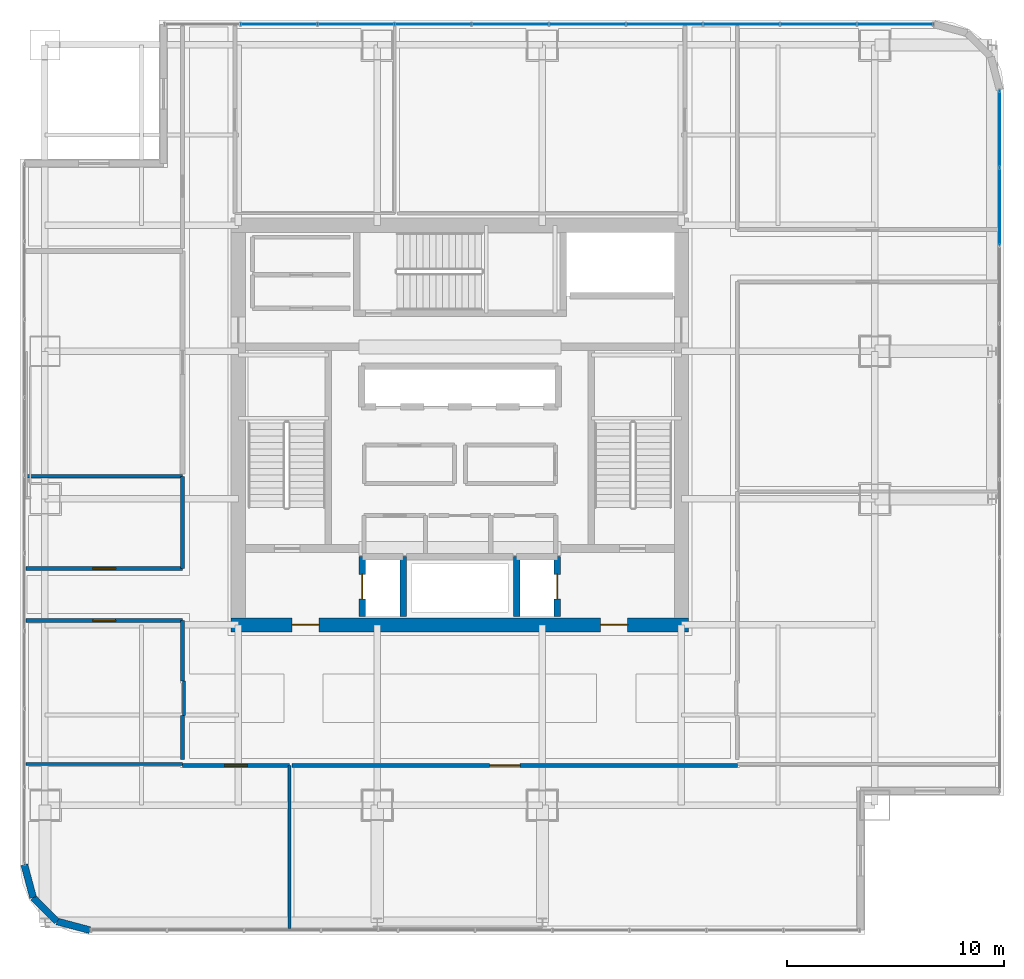
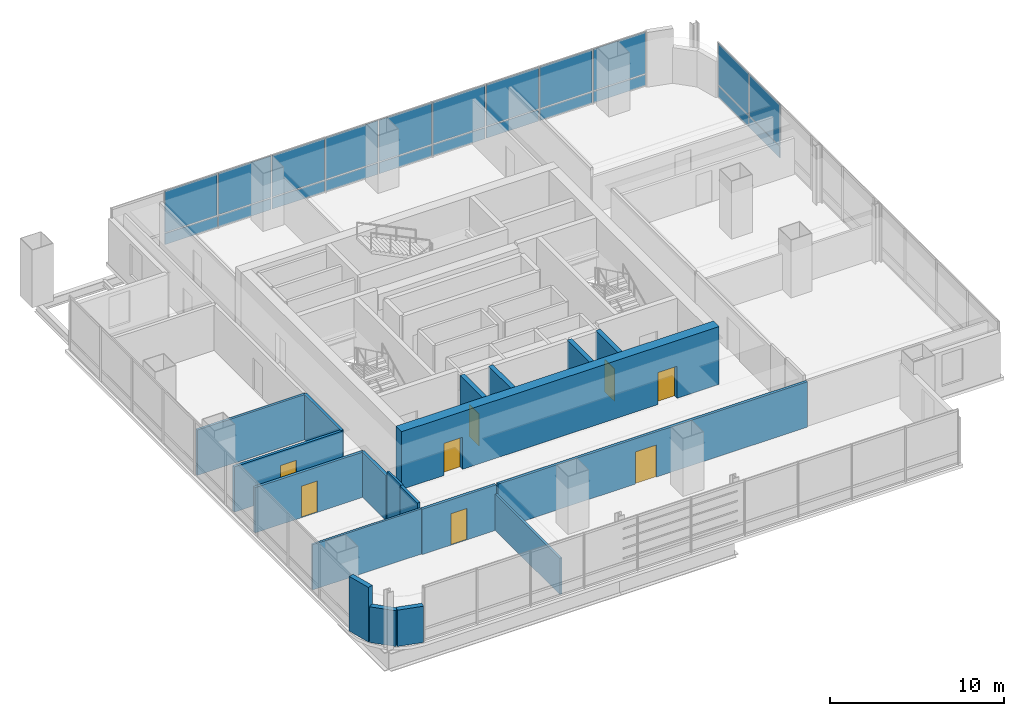
# One storey, part 29 of 37: 22 plates, 19 walls, 8 doors, 8 openings, 2 elements without a shape of their own.
"""IFC4 building model written with IfcOpenShell, lengths in metres."""

from ifc_helpers import new_model, si_unit, direction, frame, frame_2d, origin, origin_2d, place, context, subcontext, project, spatial, rectangle, extrude, material, layer, layer_set, type_object, element, fill, aggregate, save


model = new_model("IFC4")

# Units and contexts
model_context = context("Model", 3, precision=1e-05, world=origin(), true_north=direction((0.0, 1.0)))
body_context = subcontext(model_context, "Body", "Model", "MODEL_VIEW")
ifc_project = project(units=[si_unit("LENGTHUNIT", "METRE"), si_unit("AREAUNIT", "SQUARE_METRE"), si_unit("VOLUMEUNIT", "CUBIC_METRE"), si_unit("PLANEANGLEUNIT", "RADIAN"), si_unit("MASSUNIT", "GRAM", prefix="KILO")], contexts=[model_context])

# Site, building, storey
site_placement = place(None, origin())
site = spatial("IfcSite", under=ifc_project, at=site_placement, CompositionType="ELEMENT")
building_placement = place(site_placement, origin())
building = spatial("IfcBuilding", under=site, at=building_placement, Name="Punatoya Terracotta Tower", CompositionType="ELEMENT")
storey_placement = place(building_placement, frame((0.0, 0.0, 224.85009765625)))
storey = spatial("IfcBuildingStorey", under=building, at=storey_placement, Name="L53", CompositionType="ELEMENT", Elevation=224.85009765625)

# Curtain wall, plates
ifc_material_1 = material(Name="Aluminium 6063-T6 + Double Low-E Glass", Category="aluminium")
curtain_wall_type = type_object("IfcCurtainWallType", Name="CW-M2", PredefinedType="NOTDEFINED", material=ifc_material_1)
curtain_wall_1_placement = place(storey_placement, origin())
curtain_wall_1 = element("IfcCurtainWall", 1, at=curtain_wall_1_placement, inside=storey, type_object=curtain_wall_type, Name="L53 Curtain Wall CW-L53-E04-1", PredefinedType="NOTDEFINED")
ifc_material_2 = material(Name="Double Low-E Acoustic Vision Glass", Category="glass")
ifc_layer_1 = layer(ifc_material_2, 0.031982421875)
ifc_layer_set_1 = layer_set([ifc_layer_1], Name="Double Low-E Acoustic Vision Glass")
plate_type_1 = type_object("IfcPlateType", Name="PLT-GLZ-32", PredefinedType="CURTAIN_PANEL", material=ifc_layer_set_1)
plate_1_placement = place(storey_placement, frame((24.85009765625, 10.0556640625, 0.889892578125), z_axis=(0.0, 0.0, 1.0), x_axis=(0.0, 1.0, 0.0)))
plate_1 = element("IfcPlate", 2, at=plate_1_placement, type_object=plate_type_1, Name="CW-L53-E04-1 Vision Glass Panel 8", PredefinedType="CURTAIN_PANEL", context=body_context, shape_type="SweptSolid", body=[
    extrude(rectangle(XDim=3.50244140625, YDim=0.031982421875, at=origin_2d()), origin(), (0.0, 0.0, 1.0), 2.89990234375),
])
plate_2_placement = place(storey_placement, frame((24.85009765625, 13.643310546875, 0.889892578125), z_axis=(0.0, 0.0, 1.0), x_axis=(0.0, 1.0, 0.0)))
plate_2 = element("IfcPlate", 3, at=plate_2_placement, type_object=plate_type_1, Name="CW-L53-E04-1 Vision Glass Panel 9", PredefinedType="CURTAIN_PANEL", context=body_context, shape_type="SweptSolid", body=[
    extrude(rectangle(XDim=3.50244140625, YDim=0.031982421875, at=origin_2d()), origin(), (0.0, 0.0, 1.0), 2.89990234375),
])

curtain_wall_2_placement = place(storey_placement, origin())
curtain_wall_2 = element("IfcCurtainWall", 4, at=curtain_wall_2_placement, inside=storey, type_object=curtain_wall_type, Name="L53 Curtain Wall CW-L53-N08-1", PredefinedType="NOTDEFINED")
plate_3_placement = place(storey_placement, frame((20.0625, 18.449951171875, 0.889892578125), z_axis=(0.0, 0.0, 1.0), x_axis=(-1.0, 0.0, 0.0)))
plate_3 = element("IfcPlate", 5, at=plate_3_placement, type_object=plate_type_1, Name="CW-L53-N08-1 Vision Glass Panel 1", PredefinedType="CURTAIN_PANEL", context=body_context, shape_type="SweptSolid", body=[
    extrude(rectangle(XDim=3.463623046875, YDim=0.031982421875, at=origin_2d()), origin(), (0.0, 0.0, 1.0), 2.89990234375),
])
plate_4_placement = place(storey_placement, frame((16.513916015625, 18.449951171875, 0.889892578125), z_axis=(0.0, 0.0, 1.0), x_axis=(-1.0, 0.0, 0.0)))
plate_4 = element("IfcPlate", 6, at=plate_4_placement, type_object=plate_type_1, Name="CW-L53-N08-1 Vision Glass Panel 2", PredefinedType="CURTAIN_PANEL", context=body_context, shape_type="SweptSolid", body=[
    extrude(rectangle(XDim=3.463623046875, YDim=0.031982421875, at=origin_2d()), origin(), (0.0, 0.0, 1.0), 2.89990234375),
])
plate_5_placement = place(storey_placement, frame((12.965087890625, 18.449951171875, 0.889892578125), z_axis=(0.0, 0.0, 1.0), x_axis=(-1.0, 0.0, 0.0)))
plate_5 = element("IfcPlate", 7, at=plate_5_placement, type_object=plate_type_1, Name="CW-L53-N08-1 Vision Glass Panel 3", PredefinedType="CURTAIN_PANEL", context=body_context, shape_type="SweptSolid", body=[
    extrude(rectangle(XDim=3.463623046875, YDim=0.031982421875, at=origin_2d()), origin(), (0.0, 0.0, 1.0), 2.89990234375),
])
plate_6_placement = place(storey_placement, frame((9.41650390625, 18.449951171875, 0.889892578125), z_axis=(0.0, 0.0, 1.0), x_axis=(-1.0, 0.0, 0.0)))
plate_6 = element("IfcPlate", 8, at=plate_6_placement, type_object=plate_type_1, Name="CW-L53-N08-1 Vision Glass Panel 4", PredefinedType="CURTAIN_PANEL", context=body_context, shape_type="SweptSolid", body=[
    extrude(rectangle(XDim=3.463623046875, YDim=0.031982421875, at=origin_2d()), origin(), (0.0, 0.0, 1.0), 2.89990234375),
])
plate_7_placement = place(storey_placement, frame((5.867919921875, 18.449951171875, 0.889892578125), z_axis=(0.0, 0.0, 1.0), x_axis=(-1.0, 0.0, 0.0)))
plate_7 = element("IfcPlate", 9, at=plate_7_placement, type_object=plate_type_1, Name="CW-L53-N08-1 Vision Glass Panel 5", PredefinedType="CURTAIN_PANEL", context=body_context, shape_type="SweptSolid", body=[
    extrude(rectangle(XDim=3.463623046875, YDim=0.031982421875, at=origin_2d()), origin(), (0.0, 0.0, 1.0), 2.89990234375),
])
plate_8_placement = place(storey_placement, frame((2.319091796875, 18.449951171875, 0.889892578125), z_axis=(0.0, 0.0, 1.0), x_axis=(-1.0, 0.0, 0.0)))
plate_8 = element("IfcPlate", 10, at=plate_8_placement, type_object=plate_type_1, Name="CW-L53-N08-1 Vision Glass Panel 6", PredefinedType="CURTAIN_PANEL", context=body_context, shape_type="SweptSolid", body=[
    extrude(rectangle(XDim=3.463623046875, YDim=0.031982421875, at=origin_2d()), origin(), (0.0, 0.0, 1.0), 2.89990234375),
])
plate_9_placement = place(storey_placement, frame((-1.2294921875, 18.449951171875, 0.889892578125), z_axis=(0.0, 0.0, 1.0), x_axis=(-1.0, 0.0, 0.0)))
plate_9 = element("IfcPlate", 11, at=plate_9_placement, type_object=plate_type_1, Name="CW-L53-N08-1 Vision Glass Panel 7", PredefinedType="CURTAIN_PANEL", context=body_context, shape_type="SweptSolid", body=[
    extrude(rectangle(XDim=3.463623046875, YDim=0.031982421875, at=origin_2d()), origin(), (0.0, 0.0, 1.0), 2.89990234375),
])
plate_10_placement = place(storey_placement, frame((-4.7783203125, 18.449951171875, 0.889892578125), z_axis=(0.0, 0.0, 1.0), x_axis=(-1.0, 0.0, 0.0)))
plate_10 = element("IfcPlate", 12, at=plate_10_placement, type_object=plate_type_1, Name="CW-L53-N08-1 Vision Glass Panel 8", PredefinedType="CURTAIN_PANEL", context=body_context, shape_type="SweptSolid", body=[
    extrude(rectangle(XDim=3.463623046875, YDim=0.031982421875, at=origin_2d()), origin(), (0.0, 0.0, 1.0), 2.89990234375),
])
plate_11_placement = place(storey_placement, frame((-8.326904296875, 18.449951171875, 0.889892578125), z_axis=(0.0, 0.0, 1.0), x_axis=(-1.0, 0.0, 0.0)))
plate_11 = element("IfcPlate", 13, at=plate_11_placement, type_object=plate_type_1, Name="CW-L53-N08-1 Vision Glass Panel 9", PredefinedType="CURTAIN_PANEL", context=body_context, shape_type="SweptSolid", body=[
    extrude(rectangle(XDim=3.463623046875, YDim=0.031982421875, at=origin_2d()), origin(), (0.0, 0.0, 1.0), 2.89990234375),
])

# Plate
ifc_material_3 = material(Name="Insulated Terracotta-Backed Spandrel Panel", Category="masonry")
ifc_layer_2 = layer(ifc_material_3, 0.044921875)
ifc_layer_set_2 = layer_set([ifc_layer_2], Name="Insulated Terracotta-Backed Spandrel Panel")
plate_type_2 = type_object("IfcPlateType", Name="PLT-SPN-45", PredefinedType="CURTAIN_PANEL", material=ifc_layer_set_2)
plate_12_placement = place(storey_placement, frame((24.85009765625, 10.0556640625, 0.0400390625), z_axis=(0.0, 0.0, 1.0), x_axis=(0.0, 1.0, 0.0)))
plate_12 = element("IfcPlate", 14, at=plate_12_placement, type_object=plate_type_2, Name="CW-L53-E04-1 Terracotta Spandrel Panel 8", PredefinedType="CURTAIN_PANEL", context=body_context, shape_type="SweptSolid", body=[
    extrude(rectangle(XDim=3.50244140625, YDim=0.044921875, at=origin_2d()), origin(), (0.0, 0.0, 1.0), 0.77490234375),
])

plate_13_placement = place(storey_placement, frame((24.85009765625, 13.643310546875, 0.0400390625), z_axis=(0.0, 0.0, 1.0), x_axis=(0.0, 1.0, 0.0)))
plate_13 = element("IfcPlate", 15, at=plate_13_placement, type_object=plate_type_2, Name="CW-L53-E04-1 Terracotta Spandrel Panel 9", PredefinedType="CURTAIN_PANEL", context=body_context, shape_type="SweptSolid", body=[
    extrude(rectangle(XDim=3.50244140625, YDim=0.044921875, at=origin_2d()), origin(), (0.0, 0.0, 1.0), 0.77490234375),
])

aggregate(curtain_wall_1, [plate_12, plate_1, plate_13, plate_2])

plate_14_placement = place(storey_placement, frame((20.0625, 18.449951171875, 0.0400390625), z_axis=(0.0, 0.0, 1.0), x_axis=(-1.0, 0.0, 0.0)))
plate_14 = element("IfcPlate", 16, at=plate_14_placement, type_object=plate_type_2, Name="CW-L53-N08-1 Terracotta Spandrel Panel 1", PredefinedType="CURTAIN_PANEL", context=body_context, shape_type="SweptSolid", body=[
    extrude(rectangle(XDim=3.463623046875, YDim=0.044921875, at=origin_2d()), origin(), (0.0, 0.0, 1.0), 0.77490234375),
])

plate_15_placement = place(storey_placement, frame((16.513916015625, 18.449951171875, 0.0400390625), z_axis=(0.0, 0.0, 1.0), x_axis=(-1.0, 0.0, 0.0)))
plate_15 = element("IfcPlate", 17, at=plate_15_placement, type_object=plate_type_2, Name="CW-L53-N08-1 Terracotta Spandrel Panel 2", PredefinedType="CURTAIN_PANEL", context=body_context, shape_type="SweptSolid", body=[
    extrude(rectangle(XDim=3.463623046875, YDim=0.044921875, at=origin_2d()), origin(), (0.0, 0.0, 1.0), 0.77490234375),
])

plate_16_placement = place(storey_placement, frame((12.965087890625, 18.449951171875, 0.0400390625), z_axis=(0.0, 0.0, 1.0), x_axis=(-1.0, 0.0, 0.0)))
plate_16 = element("IfcPlate", 18, at=plate_16_placement, type_object=plate_type_2, Name="CW-L53-N08-1 Terracotta Spandrel Panel 3", PredefinedType="CURTAIN_PANEL", context=body_context, shape_type="SweptSolid", body=[
    extrude(rectangle(XDim=3.463623046875, YDim=0.044921875, at=origin_2d()), origin(), (0.0, 0.0, 1.0), 0.77490234375),
])

plate_17_placement = place(storey_placement, frame((9.41650390625, 18.449951171875, 0.0400390625), z_axis=(0.0, 0.0, 1.0), x_axis=(-1.0, 0.0, 0.0)))
plate_17 = element("IfcPlate", 19, at=plate_17_placement, type_object=plate_type_2, Name="CW-L53-N08-1 Terracotta Spandrel Panel 4", PredefinedType="CURTAIN_PANEL", context=body_context, shape_type="SweptSolid", body=[
    extrude(rectangle(XDim=3.463623046875, YDim=0.044921875, at=origin_2d()), origin(), (0.0, 0.0, 1.0), 0.77490234375),
])

plate_18_placement = place(storey_placement, frame((5.867919921875, 18.449951171875, 0.0400390625), z_axis=(0.0, 0.0, 1.0), x_axis=(-1.0, 0.0, 0.0)))
plate_18 = element("IfcPlate", 20, at=plate_18_placement, type_object=plate_type_2, Name="CW-L53-N08-1 Terracotta Spandrel Panel 5", PredefinedType="CURTAIN_PANEL", context=body_context, shape_type="SweptSolid", body=[
    extrude(rectangle(XDim=3.463623046875, YDim=0.044921875, at=origin_2d()), origin(), (0.0, 0.0, 1.0), 0.77490234375),
])

plate_19_placement = place(storey_placement, frame((2.319091796875, 18.449951171875, 0.0400390625), z_axis=(0.0, 0.0, 1.0), x_axis=(-1.0, 0.0, 0.0)))
plate_19 = element("IfcPlate", 21, at=plate_19_placement, type_object=plate_type_2, Name="CW-L53-N08-1 Terracotta Spandrel Panel 6", PredefinedType="CURTAIN_PANEL", context=body_context, shape_type="SweptSolid", body=[
    extrude(rectangle(XDim=3.463623046875, YDim=0.044921875, at=origin_2d()), origin(), (0.0, 0.0, 1.0), 0.77490234375),
])

plate_20_placement = place(storey_placement, frame((-1.2294921875, 18.449951171875, 0.0400390625), z_axis=(0.0, 0.0, 1.0), x_axis=(-1.0, 0.0, 0.0)))
plate_20 = element("IfcPlate", 22, at=plate_20_placement, type_object=plate_type_2, Name="CW-L53-N08-1 Terracotta Spandrel Panel 7", PredefinedType="CURTAIN_PANEL", context=body_context, shape_type="SweptSolid", body=[
    extrude(rectangle(XDim=3.463623046875, YDim=0.044921875, at=origin_2d()), origin(), (0.0, 0.0, 1.0), 0.77490234375),
])

plate_21_placement = place(storey_placement, frame((-4.7783203125, 18.449951171875, 0.0400390625), z_axis=(0.0, 0.0, 1.0), x_axis=(-1.0, 0.0, 0.0)))
plate_21 = element("IfcPlate", 23, at=plate_21_placement, type_object=plate_type_2, Name="CW-L53-N08-1 Terracotta Spandrel Panel 8", PredefinedType="CURTAIN_PANEL", context=body_context, shape_type="SweptSolid", body=[
    extrude(rectangle(XDim=3.463623046875, YDim=0.044921875, at=origin_2d()), origin(), (0.0, 0.0, 1.0), 0.77490234375),
])

plate_22_placement = place(storey_placement, frame((-8.326904296875, 18.449951171875, 0.0400390625), z_axis=(0.0, 0.0, 1.0), x_axis=(-1.0, 0.0, 0.0)))
plate_22 = element("IfcPlate", 24, at=plate_22_placement, type_object=plate_type_2, Name="CW-L53-N08-1 Terracotta Spandrel Panel 9", PredefinedType="CURTAIN_PANEL", context=body_context, shape_type="SweptSolid", body=[
    extrude(rectangle(XDim=3.463623046875, YDim=0.044921875, at=origin_2d()), origin(), (0.0, 0.0, 1.0), 0.77490234375),
])

aggregate(curtain_wall_2, [plate_14, plate_3, plate_15, plate_4, plate_16, plate_5, plate_17, plate_6, plate_18, plate_7, plate_19, plate_8, plate_20, plate_9, plate_21, plate_10, plate_22, plate_11])

# Wall, openings, doors
ifc_material_4 = material(Name="Concrete C60/75", Category="concrete")
ifc_layer_3 = layer(ifc_material_4, 0.64990234375)
ifc_layer_set_3 = layer_set([ifc_layer_3], Name="Concrete C60/75")
wall_type_1 = type_object("IfcWallType", Name="WL-COR-650", PredefinedType="SHEAR", material=ifc_layer_set_3)
wall_1_placement = place(storey_placement, frame((10.52490234375, -9.199951171875, 0.0), z_axis=(0.0, 0.0, 1.0), x_axis=(-1.0, 0.0, 0.0)))
wall_1 = element("IfcWall", 25, at=wall_1_placement, inside=storey, type_object=wall_type_1, Name="L53 Core Shear Wall S", PredefinedType="SHEAR", context=body_context, shape_type="SweptSolid", body=[
    extrude(rectangle(XDim=21.0498046875, YDim=0.64990234375, at=frame_2d((10.52490234375, 0.0))), origin(), (0.0, 0.0, 1.0), 4.0498046875),
])
opening_1_placement = place(wall_1_placement, frame((2.800048828125, 0.0, 0.0)))
opening_1 = element("IfcOpeningElement", 26, at=opening_1_placement, cuts=wall_1, Name="Opening FD-L1", PredefinedType="OPENING", context=body_context, shape_type="SweptSolid", body=[
    extrude(rectangle(XDim=1.25, YDim=2.25, at=frame_2d((0.625, 1.125))), frame((0.0, 0.3349609375, 0.0), z_axis=(0.0, -1.0, 0.0), x_axis=(1.0, 0.0, 0.0)), (0.0, 0.0, 1.0), 0.669921875),
])
opening_2_placement = place(wall_1_placement, frame((17.0, 0.0, 0.0)))
opening_2 = element("IfcOpeningElement", 27, at=opening_2_placement, cuts=wall_1, Name="Opening FD-L1", PredefinedType="OPENING", context=body_context, shape_type="SweptSolid", body=[
    extrude(rectangle(XDim=1.25, YDim=2.25, at=frame_2d((0.625, 1.125))), frame((0.0, 0.3349609375, 0.0), z_axis=(0.0, -1.0, 0.0), x_axis=(1.0, 0.0, 0.0)), (0.0, 0.0, 1.0), 0.669921875),
])
ifc_material_5 = material(Name="Galvanised Steel Smokeproof Fire Door", Category="steel")
door_type_1 = type_object("IfcDoorType", Name="DR-FFL-1250", OperationType="NOTDEFINED", PredefinedType="DOOR", material=ifc_material_5)
door_1_placement = place(opening_1_placement, origin())
door_1 = element("IfcDoor", 28, at=door_1_placement, inside=storey, type_object=door_type_1, Name="L53 East Firefighting Lobby Corridor Fire Door", OperationType="SINGLE_SWING_LEFT", OverallHeight=2.25, OverallWidth=1.25, PredefinedType="DOOR", context=body_context, shape_type="SweptSolid", body=[
    extrude(rectangle(XDim=1.25, YDim=2.25, at=frame_2d((0.625, 1.125))), frame((0.0, 0.02490234375, 0.0), z_axis=(0.0, -1.0, 0.0), x_axis=(1.0, 0.0, 0.0)), (0.0, 0.0, 1.0), 0.050048828125),
])
fill(opening_1, door_1)
door_2_placement = place(opening_2_placement, origin())
door_2 = element("IfcDoor", 29, at=door_2_placement, inside=storey, type_object=door_type_1, Name="L53 West Firefighting Lobby Corridor Fire Door", OperationType="SINGLE_SWING_RIGHT", OverallHeight=2.25, OverallWidth=1.25, PredefinedType="DOOR", context=body_context, shape_type="SweptSolid", body=[
    extrude(rectangle(XDim=1.25, YDim=2.25, at=frame_2d((0.625, 1.125))), frame((0.0, 0.02490234375, 0.0), z_axis=(0.0, -1.0, 0.0), x_axis=(1.0, 0.0, 0.0)), (0.0, 0.0, 1.0), 0.050048828125),
])
fill(opening_2, door_2)

# Wall, opening, door
ifc_material_6 = material(Name="Gypsum Fireboard + Steel Stud", Category="steel")
ifc_layer_4 = layer(ifc_material_6, 0.179931640625)
ifc_layer_set_4 = layer_set([ifc_layer_4], Name="Gypsum Fireboard + Steel Stud")
wall_type_2 = type_object("IfcWallType", Name="WL-CORR-180", PredefinedType="PARTITIONING", material=ifc_layer_set_4)
wall_2_placement = place(storey_placement, frame((-12.77001953125, -15.669921875, 0.0), z_axis=(0.0, 0.0, 1.0), x_axis=(1.0, 0.0, 0.0)))
wall_2 = element("IfcWall", 30, at=wall_2_placement, inside=storey, type_object=wall_type_2, Name="L53 Open-Plan Client Media Salon Partition 22", PredefinedType="PARTITIONING", context=body_context, shape_type="SweptSolid", body=[
    extrude(rectangle(XDim=4.924072265625, YDim=0.179931640625, at=frame_2d((2.4619140625, 0.0))), origin(), (0.0, 0.0, 1.0), 3.173828125),
])
opening_3_placement = place(wall_2_placement, frame((1.93701171875, 0.0, 0.0)))
opening_3 = element("IfcOpeningElement", 31, at=opening_3_placement, cuts=wall_2, Name="Opening OD-01", PredefinedType="OPENING", context=body_context, shape_type="SweptSolid", body=[
    extrude(rectangle(XDim=1.050048828125, YDim=2.199951171875, at=frame_2d((0.52490234375, 1.10009765625))), frame((0.0, 0.099853515625, 0.0), z_axis=(0.0, -1.0, 0.0), x_axis=(1.0, 0.0, 0.0)), (0.0, 0.0, 1.0), 0.199951171875),
])
ifc_material_7 = material(Name="Bengal Teak Solid-Core Leaf")
door_type_2 = type_object("IfcDoorType", Name="DR-OFF-1050", OperationType="NOTDEFINED", PredefinedType="DOOR", material=ifc_material_7)
door_3_placement = place(opening_3_placement, origin())
door_3 = element("IfcDoor", 32, at=door_3_placement, inside=storey, type_object=door_type_2, Name="L53 Open-Plan Client Media Salon Door", OperationType="SINGLE_SWING_RIGHT", OverallHeight=2.199951171875, OverallWidth=1.050048828125, PredefinedType="DOOR", context=body_context, shape_type="SweptSolid", body=[
    extrude(rectangle(XDim=1.050048828125, YDim=2.199951171875, at=frame_2d((0.52490234375, 1.10009765625))), frame((0.0, 0.02490234375, 0.0), z_axis=(0.0, -1.0, 0.0), x_axis=(1.0, 0.0, 0.0)), (0.0, 0.0, 1.0), 0.050048828125),
])
fill(opening_3, door_3)

wall_3_placement = place(storey_placement, frame((-7.72607421875, -15.669921875, 0.0), z_axis=(0.0, 0.0, 1.0), x_axis=(1.0, 0.0, 0.0)))
wall_3 = element("IfcWall", 33, at=wall_3_placement, inside=storey, type_object=wall_type_2, Name="L53 Media Broadcast Studio Partition 24", PredefinedType="PARTITIONING", context=body_context, shape_type="SweptSolid", body=[
    extrude(rectangle(XDim=20.49609375, YDim=0.179931640625, at=frame_2d((10.248046875, 0.0))), origin(), (0.0, 0.0, 1.0), 3.173828125),
])
opening_4_placement = place(wall_3_placement, frame((9.097900390625, 0.0, 0.0)))
opening_4 = element("IfcOpeningElement", 34, at=opening_4_placement, cuts=wall_3, Name="Opening BD-01", PredefinedType="OPENING", context=body_context, shape_type="SweptSolid", body=[
    extrude(rectangle(XDim=1.39990234375, YDim=2.25, at=frame_2d((0.699951171875, 1.125))), frame((0.0, 0.099853515625, 0.0), z_axis=(0.0, -1.0, 0.0), x_axis=(1.0, 0.0, 0.0)), (0.0, 0.0, 1.0), 0.199951171875),
])
ifc_material_8 = material(Name="Bengal Teak Acoustic Leaf")
door_type_3 = type_object("IfcDoorType", Name="DR-BRD-1400", OperationType="NOTDEFINED", PredefinedType="DOOR", material=ifc_material_8)
door_4_placement = place(opening_4_placement, origin())
door_4 = element("IfcDoor", 35, at=door_4_placement, inside=storey, type_object=door_type_3, Name="L53 Media Broadcast Studio Door", OperationType="SINGLE_SWING_LEFT", OverallHeight=2.25, OverallWidth=1.39990234375, PredefinedType="DOOR", context=body_context, shape_type="SweptSolid", body=[
    extrude(rectangle(XDim=1.39990234375, YDim=2.25, at=frame_2d((0.699951171875, 1.125))), frame((0.0, 0.02490234375, 0.0), z_axis=(0.0, -1.0, 0.0), x_axis=(1.0, 0.0, 0.0)), (0.0, 0.0, 1.0), 0.050048828125),
])
fill(opening_4, door_4)

wall_4_placement = place(storey_placement, frame((-19.969970703125, -9.0, 0.0), z_axis=(0.0, 0.0, 1.0), x_axis=(1.0, 0.0, 0.0)))
wall_4 = element("IfcWall", 36, at=wall_4_placement, inside=storey, type_object=wall_type_2, Name="L53 Graphic Design Workplace Partition 26", PredefinedType="PARTITIONING", context=body_context, shape_type="SweptSolid", body=[
    extrude(rectangle(XDim=7.199951171875, YDim=0.179931640625, at=frame_2d((3.60009765625, 0.0))), origin(), (0.0, 0.0, 1.0), 3.173828125),
])
opening_5_placement = place(wall_4_placement, frame((3.074951171875, 0.0, 0.0)))
opening_5 = element("IfcOpeningElement", 37, at=opening_5_placement, cuts=wall_4, Name="Opening OD-01", PredefinedType="OPENING", context=body_context, shape_type="SweptSolid", body=[
    extrude(rectangle(XDim=1.050048828125, YDim=2.199951171875, at=frame_2d((0.52490234375, 1.10009765625))), frame((0.0, 0.099853515625, 0.0), z_axis=(0.0, -1.0, 0.0), x_axis=(1.0, 0.0, 0.0)), (0.0, 0.0, 1.0), 0.199951171875),
])
door_5_placement = place(opening_5_placement, origin())
door_5 = element("IfcDoor", 38, at=door_5_placement, inside=storey, type_object=door_type_2, Name="L53 Graphic Design Workplace Door", OperationType="SINGLE_SWING_RIGHT", OverallHeight=2.199951171875, OverallWidth=1.050048828125, PredefinedType="DOOR", context=body_context, shape_type="SweptSolid", body=[
    extrude(rectangle(XDim=1.050048828125, YDim=2.199951171875, at=frame_2d((0.52490234375, 1.10009765625))), frame((0.0, 0.02490234375, 0.0), z_axis=(0.0, -1.0, 0.0), x_axis=(1.0, 0.0, 0.0)), (0.0, 0.0, 1.0), 0.050048828125),
])
fill(opening_5, door_5)

# Walls
wall_5_placement = place(storey_placement, frame((-12.77001953125, -9.0, 0.0), z_axis=(0.0, 0.0, 1.0), x_axis=(0.0, -1.0, 0.0)))
element("IfcWall", 39, at=wall_5_placement, inside=storey, type_object=wall_type_2, Name="L53 Graphic Design Workplace Partition 27", PredefinedType="PARTITIONING", context=body_context, shape_type="SweptSolid", body=[
    extrude(rectangle(XDim=2.77001953125, YDim=0.179931640625, at=frame_2d((1.385009765625, 0.0))), origin(), (0.0, 0.0, 1.0), 3.173828125),
])
wall_6_placement = place(storey_placement, frame((-12.77001953125, -13.3798828125, 0.0), z_axis=(0.0, 0.0, 1.0), x_axis=(0.0, -1.0, 0.0)))
element("IfcWall", 40, at=wall_6_placement, inside=storey, type_object=wall_type_2, Name="L53 Graphic Design Workplace Partition 29", PredefinedType="PARTITIONING", context=body_context, shape_type="SweptSolid", body=[
    extrude(rectangle(XDim=2.010009765625, YDim=0.179931640625, at=frame_2d((1.0048828125, 0.0))), origin(), (0.0, 0.0, 1.0), 3.423828125),
])

# Wall, opening, door
wall_7_placement = place(storey_placement, frame((-12.77001953125, -6.60009765625, 0.0), z_axis=(0.0, 0.0, 1.0), x_axis=(-1.0, 0.0, 0.0)))
wall_7 = element("IfcWall", 41, at=wall_7_placement, inside=storey, type_object=wall_type_2, Name="L53 Open-Plan Hospitality Tea Pantry Partition 34", PredefinedType="PARTITIONING", context=body_context, shape_type="SweptSolid", body=[
    extrude(rectangle(XDim=7.199951171875, YDim=0.179931640625, at=frame_2d((3.60009765625, 0.0))), origin(), (0.0, 0.0, 1.0), 3.173828125),
])
opening_6_placement = place(wall_7_placement, frame((3.074951171875, 0.0, 0.0)))
opening_6 = element("IfcOpeningElement", 42, at=opening_6_placement, cuts=wall_7, Name="Opening OD-01", PredefinedType="OPENING", context=body_context, shape_type="SweptSolid", body=[
    extrude(rectangle(XDim=1.050048828125, YDim=2.199951171875, at=frame_2d((0.52490234375, 1.10009765625))), frame((0.0, 0.099853515625, 0.0), z_axis=(0.0, -1.0, 0.0), x_axis=(1.0, 0.0, 0.0)), (0.0, 0.0, 1.0), 0.199951171875),
])
door_6_placement = place(opening_6_placement, origin())
door_6 = element("IfcDoor", 43, at=door_6_placement, inside=storey, type_object=door_type_2, Name="L53 Open-Plan Hospitality Tea Pantry Door", OperationType="SINGLE_SWING_RIGHT", OverallHeight=2.199951171875, OverallWidth=1.050048828125, PredefinedType="DOOR", context=body_context, shape_type="SweptSolid", body=[
    extrude(rectangle(XDim=1.050048828125, YDim=2.199951171875, at=frame_2d((0.52490234375, 1.10009765625))), frame((0.0, 0.02490234375, 0.0), z_axis=(0.0, -1.0, 0.0), x_axis=(1.0, 0.0, 0.0)), (0.0, 0.0, 1.0), 0.050048828125),
])
fill(opening_6, door_6)

# Walls
wall_8_placement = place(storey_placement, frame((-12.77001953125, -2.362060546875, 0.0), z_axis=(0.0, 0.0, 1.0), x_axis=(0.0, -1.0, 0.0)))
element("IfcWall", 44, at=wall_8_placement, inside=storey, type_object=wall_type_2, Name="L53 Open-Plan Hospitality Tea Pantry Partition 36", PredefinedType="PARTITIONING", context=body_context, shape_type="SweptSolid", body=[
    extrude(rectangle(XDim=4.238037109375, YDim=0.179931640625, at=frame_2d((2.119140625, 0.0))), origin(), (0.0, 0.0, 1.0), 3.173828125),
])
ifc_material_9 = material(Name="Precast concrete C40/50", Category="concrete")
ifc_layer_5 = layer(ifc_material_9, 0.320068359375)
ifc_layer_set_5 = layer_set([ifc_layer_5], Name="Precast concrete C40/50")
wall_type_3 = type_object("IfcWallType", Name="WL-EXT-320", PredefinedType="SOLIDWALL", material=ifc_layer_set_5)
wall_9_placement = place(storey_placement, frame((-20.050048828125, -20.23681640625, 0.0), z_axis=(0.0, 0.0, 1.0), x_axis=(0.257847112249, -0.966185730957, 0.0)))
element("IfcWall", 45, at=wall_9_placement, inside=storey, type_object=wall_type_3, Name="L53 Rounded Terracotta Corner Pier 12", PredefinedType="SOLIDWALL", context=body_context, shape_type="SweptSolid", body=[
    extrude(rectangle(XDim=1.565185546875, YDim=0.320068359375, at=frame_2d((0.78271484375, 0.0))), origin(), (0.0, 0.0, 1.0), 3.829833984375),
])
wall_10_placement = place(storey_placement, frame((-19.646484375, -21.7490234375, 0.0), z_axis=(0.0, 0.0, 1.0), x_axis=(0.707028130747, -0.707185422879, 0.0)))
element("IfcWall", 46, at=wall_10_placement, inside=storey, type_object=wall_type_3, Name="L53 Rounded Terracotta Corner Pier 13", PredefinedType="SOLIDWALL", context=body_context, shape_type="SweptSolid", body=[
    extrude(rectangle(XDim=1.55224609375, YDim=0.320068359375, at=frame_2d((0.776123046875, 0.0))), origin(), (0.0, 0.0, 1.0), 2.50390625),
])
wall_11_placement = place(storey_placement, frame((-18.549072265625, -22.8466796875, 0.0), z_axis=(0.0, 0.0, 1.0), x_axis=(0.966224582397, -0.257701486942, 0.0)))
element("IfcWall", 47, at=wall_11_placement, inside=storey, type_object=wall_type_3, Name="L53 Rounded Terracotta Corner Pier 14", PredefinedType="SOLIDWALL", context=body_context, shape_type="SweptSolid", body=[
    extrude(rectangle(XDim=1.565185546875, YDim=0.320068359375, at=frame_2d((0.78271484375, 0.0))), origin(), (0.0, 0.0, 1.0), 2.5439453125),
])
ifc_material_10 = material(Name="Acoustic Gypsum + Steel Stud", Category="steel")
ifc_layer_6 = layer(ifc_material_10, 0.139892578125)
ifc_layer_set_6 = layer_set([ifc_layer_6], Name="Acoustic Gypsum + Steel Stud")
wall_type_4 = type_object("IfcWallType", Name="WL-OFF-140", PredefinedType="PARTITIONING", material=ifc_layer_set_6)
wall_12_placement = place(storey_placement, frame((-19.969970703125, -15.610107421875, 0.0), z_axis=(0.0, 0.0, 1.0), x_axis=(1.0, 0.0, 0.0)))
element("IfcWall", 48, at=wall_12_placement, inside=storey, type_object=wall_type_4, Name="L53 Open-Plan Client Media Salon Partition 21", PredefinedType="PARTITIONING", context=body_context, shape_type="SweptSolid", body=[
    extrude(rectangle(XDim=7.199951171875, YDim=0.139892578125, at=frame_2d((3.60009765625, 0.0))), origin(), (0.0, 0.0, 1.0), 3.173828125),
])
wall_13_placement = place(storey_placement, frame((-7.845947265625, -15.669921875, 0.0), z_axis=(0.0, 0.0, 1.0), x_axis=(0.0, -1.0, 0.0)))
element("IfcWall", 49, at=wall_13_placement, inside=storey, type_object=wall_type_4, Name="L53 Open-Plan Client Media Salon Partition 23", PredefinedType="PARTITIONING", context=body_context, shape_type="SweptSolid", body=[
    extrude(rectangle(XDim=7.5, YDim=0.139892578125, at=frame_2d((3.75, 0.0))), origin(), (0.0, 0.0, 1.0), 2.5439453125),
])
wall_14_placement = place(storey_placement, frame((-12.7099609375, -11.77001953125, 0.0), z_axis=(0.0, 0.0, 1.0), x_axis=(0.0, -1.0, 0.0)))
element("IfcWall", 50, at=wall_14_placement, inside=storey, type_object=wall_type_4, Name="L53 Graphic Design Workplace Partition 28", PredefinedType="PARTITIONING", context=body_context, shape_type="SweptSolid", body=[
    extrude(rectangle(XDim=1.60986328125, YDim=0.139892578125, at=frame_2d((0.804931640625, 0.0))), origin(), (0.0, 0.0, 1.0), 3.423828125),
])

# Wall, opening, door
ifc_material_11 = material(Name="Concrete C40/50", Category="concrete")
ifc_layer_7 = layer(ifc_material_11, 0.300048828125)
ifc_layer_set_7 = layer_set([ifc_layer_7], Name="Concrete C40/50")
wall_type_5 = type_object("IfcWallType", Name="WL-SHF-300", PredefinedType="SOLIDWALL", material=ifc_layer_set_7)
wall_15_placement = place(storey_placement, frame((-4.489990234375, -8.820068359375, 0.0), z_axis=(0.0, 0.0, 1.0), x_axis=(0.0, 1.0, 0.0)))
wall_15 = element("IfcWall", 51, at=wall_15_placement, inside=storey, type_object=wall_type_5, Name="L53 FFL-1 Front Hoistway Wall", PredefinedType="SOLIDWALL", context=body_context, shape_type="SweptSolid", body=[
    extrude(rectangle(XDim=2.77001953125, YDim=0.300048828125, at=frame_2d((1.385009765625, 0.0))), origin(), (0.0, 0.0, 1.0), 3.829833984375),
])
opening_7_placement = place(wall_15_placement, frame((0.824951171875, 0.0, 0.0)))
opening_7 = element("IfcOpeningElement", 52, at=opening_7_placement, cuts=wall_15, Name="Opening LD-02", PredefinedType="OPENING", context=body_context, shape_type="SweptSolid", body=[
    extrude(rectangle(XDim=1.1201171875, YDim=2.25, at=frame_2d((0.56005859375, 1.125))), frame((0.0, 0.159912109375, 0.0), z_axis=(0.0, -1.0, 0.0), x_axis=(1.0, 0.0, 0.0)), (0.0, 0.0, 1.0), 0.320068359375),
])
ifc_material_12 = material(Name="Stainless Steel Lift Landing Door", Category="steel")
door_type_4 = type_object("IfcDoorType", Name="DR-LND-1120", OperationType="NOTDEFINED", PredefinedType="DOOR", material=ifc_material_12)
door_7_placement = place(opening_7_placement, origin())
door_7 = element("IfcDoor", 53, at=door_7_placement, inside=storey, type_object=door_type_4, Name="L53 Firefighting Lift FFL-1 Sliding Landing Door", OperationType="SLIDING_TO_LEFT", OverallHeight=2.25, OverallWidth=1.1201171875, PredefinedType="DOOR", context=body_context, shape_type="SweptSolid", body=[
    extrude(rectangle(XDim=1.1201171875, YDim=2.25, at=frame_2d((0.56005859375, 1.125))), frame((0.0, 0.02490234375, 0.0), z_axis=(0.0, -1.0, 0.0), x_axis=(1.0, 0.0, 0.0)), (0.0, 0.0, 1.0), 0.050048828125),
])
fill(opening_7, door_7)

# Wall
wall_16_placement = place(storey_placement, frame((-2.610107421875, -8.820068359375, 0.0), z_axis=(0.0, 0.0, 1.0), x_axis=(0.0, 1.0, 0.0)))
element("IfcWall", 54, at=wall_16_placement, inside=storey, type_object=wall_type_5, Name="L53 FFL-1 Rear Hoistway Wall", PredefinedType="SOLIDWALL", context=body_context, shape_type="SweptSolid", body=[
    extrude(rectangle(XDim=2.77001953125, YDim=0.300048828125, at=frame_2d((1.385009765625, 0.0))), origin(), (0.0, 0.0, 1.0), 3.829833984375),
])

# Wall, opening, door
wall_17_placement = place(storey_placement, frame((4.489990234375, -8.820068359375, 0.0), z_axis=(0.0, 0.0, 1.0), x_axis=(0.0, 1.0, 0.0)))
wall_17 = element("IfcWall", 55, at=wall_17_placement, inside=storey, type_object=wall_type_5, Name="L53 FFL-2 Front Hoistway Wall", PredefinedType="SOLIDWALL", context=body_context, shape_type="SweptSolid", body=[
    extrude(rectangle(XDim=2.77001953125, YDim=0.300048828125, at=frame_2d((1.385009765625, 0.0))), origin(), (0.0, 0.0, 1.0), 3.829833984375),
])
opening_8_placement = place(wall_17_placement, frame((0.824951171875, 0.0, 0.0)))
opening_8 = element("IfcOpeningElement", 56, at=opening_8_placement, cuts=wall_17, Name="Opening LD-02", PredefinedType="OPENING", context=body_context, shape_type="SweptSolid", body=[
    extrude(rectangle(XDim=1.1201171875, YDim=2.25, at=frame_2d((0.56005859375, 1.125))), frame((0.0, 0.159912109375, 0.0), z_axis=(0.0, -1.0, 0.0), x_axis=(1.0, 0.0, 0.0)), (0.0, 0.0, 1.0), 0.320068359375),
])
door_8_placement = place(opening_8_placement, origin())
door_8 = element("IfcDoor", 57, at=door_8_placement, inside=storey, type_object=door_type_4, Name="L53 Firefighting Lift FFL-2 Sliding Landing Door", OperationType="SLIDING_TO_RIGHT", OverallHeight=2.25, OverallWidth=1.1201171875, PredefinedType="DOOR", context=body_context, shape_type="SweptSolid", body=[
    extrude(rectangle(XDim=1.1201171875, YDim=2.25, at=frame_2d((0.56005859375, 1.125))), frame((0.0, 0.02490234375, 0.0), z_axis=(0.0, -1.0, 0.0), x_axis=(1.0, 0.0, 0.0)), (0.0, 0.0, 1.0), 0.050048828125),
])
fill(opening_8, door_8)

# Walls
wall_18_placement = place(storey_placement, frame((2.610107421875, -8.820068359375, 0.0), z_axis=(0.0, 0.0, 1.0), x_axis=(0.0, 1.0, 0.0)))
element("IfcWall", 58, at=wall_18_placement, inside=storey, type_object=wall_type_5, Name="L53 FFL-2 Rear Hoistway Wall", PredefinedType="SOLIDWALL", context=body_context, shape_type="SweptSolid", body=[
    extrude(rectangle(XDim=2.77001953125, YDim=0.300048828125, at=frame_2d((1.385009765625, 0.0))), origin(), (0.0, 0.0, 1.0), 3.829833984375),
])
ifc_material_13 = material(Name="Masonry Blockwork + Ceramic Tile", Category="masonry")
ifc_layer_8 = layer(ifc_material_13, 0.159912109375)
ifc_layer_set_8 = layer_set([ifc_layer_8], Name="Masonry Blockwork + Ceramic Tile")
wall_type_6 = type_object("IfcWallType", Name="WL-WET-160", PredefinedType="PARTITIONING", material=ifc_layer_set_8)
wall_19_placement = place(storey_placement, frame((-19.969970703125, -2.362060546875, 0.0), z_axis=(0.0, 0.0, 1.0), x_axis=(1.0, 0.0, 0.0)))
element("IfcWall", 59, at=wall_19_placement, inside=storey, type_object=wall_type_6, Name="L53 Open-Plan Hospitality Tea Pantry Partition 35", PredefinedType="PARTITIONING", context=body_context, shape_type="SweptSolid", body=[
    extrude(rectangle(XDim=7.199951171875, YDim=0.159912109375, at=frame_2d((3.60009765625, 0.0))), origin(), (0.0, 0.0, 1.0), 3.173828125),
])

save(model, "model.ifc")
